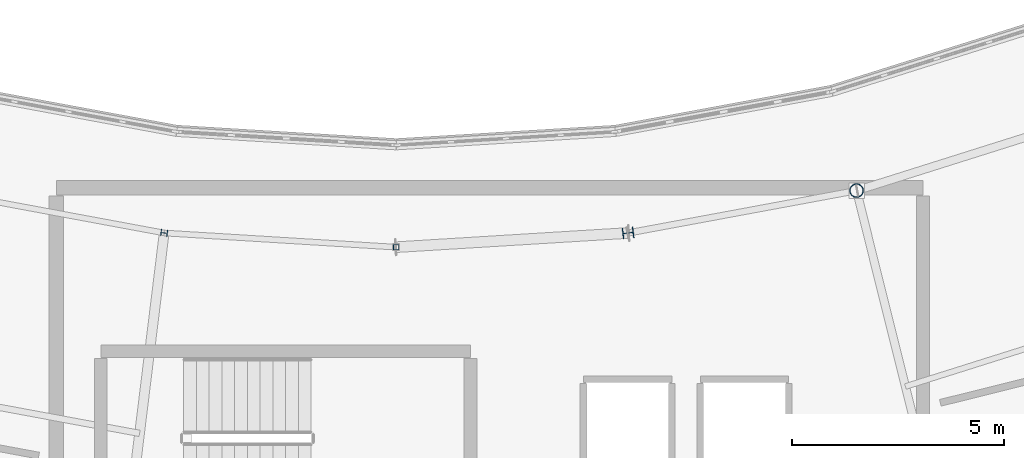
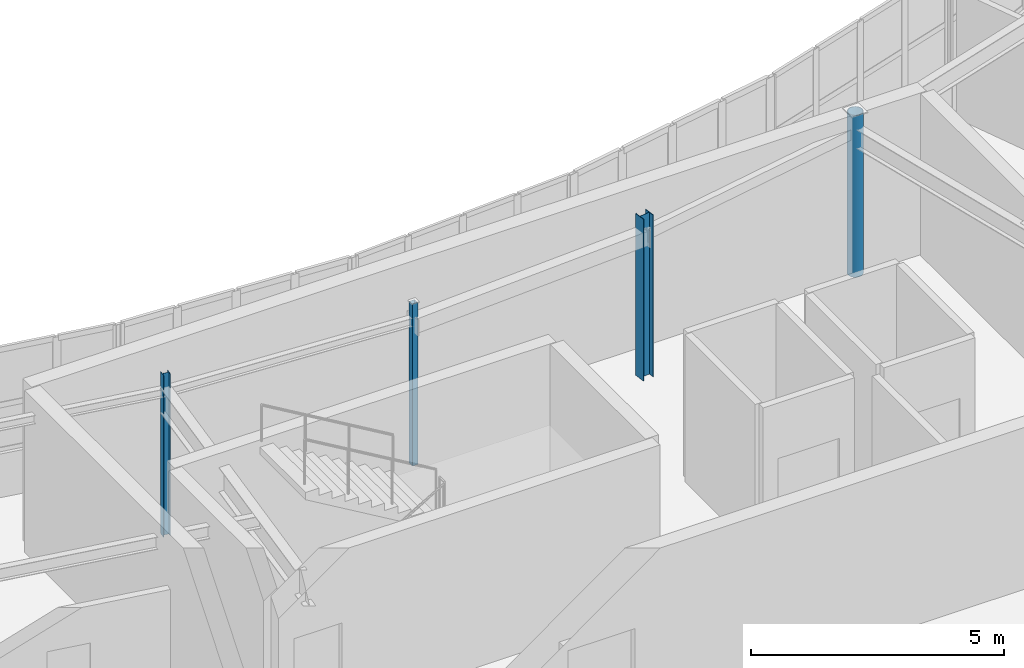
# One storey, part 5 of 79: 4 columns.
"""IFC4 building model written with IfcOpenShell, lengths in metres."""

from ifc_helpers import new_model, si_unit, direction, frame, origin, origin_2d, place, context, subcontext, project, spatial, hollow_rectangle, hollow_circle, i_section, extrude, material, material_profile, profile_set, type_object, element, save


model = new_model("IFC4")

# Units and contexts
model_context = context("Model", 3, precision=1e-05, world=origin(), true_north=direction((0.0, 1.0)))
body_context = subcontext(model_context, "Body", "Model", "MODEL_VIEW")
ifc_project = project(units=[si_unit("LENGTHUNIT", "METRE"), si_unit("AREAUNIT", "SQUARE_METRE"), si_unit("VOLUMEUNIT", "CUBIC_METRE"), si_unit("PLANEANGLEUNIT", "RADIAN"), si_unit("MASSUNIT", "GRAM", prefix="KILO")], contexts=[model_context])

# Site, building, storey
site_placement = place(None, origin())
site = spatial("IfcSite", under=ifc_project, at=site_placement, CompositionType="ELEMENT")
building_placement = place(site_placement, origin())
building = spatial("IfcBuilding", under=site, at=building_placement, Name="Tarnwether General Hospital", CompositionType="ELEMENT")
storey_placement = place(building_placement, frame((0.0, 0.0, 18.300048828125)))
storey = spatial("IfcBuildingStorey", under=building, at=storey_placement, Name="L04", CompositionType="ELEMENT", Elevation=18.300048828125)

# Columns
ifc_material_1 = material(Name="Steel Grade 350 (350 MPa)", Category="steel")
ifc_material_profile_1 = material_profile(ifc_material_1, i_section(OverallWidth=0.25390625, OverallDepth=0.25390625, WebThickness=0.008544921875, FlangeThickness=0.01416015625, at=origin_2d()), Name="250UC72.9")
ifc_profile_set_1 = profile_set([ifc_material_profile_1], Name="Steel Grade 350 (350 MPa)")
column_type_1 = type_object("IfcColumnType", Name="COL-24", PredefinedType="COLUMN", material=ifc_profile_set_1)
column_1_placement = place(storey_placement, frame((97.4599609375, 18.533935546875, 0.0), z_axis=(0.0, 0.0, 1.0), x_axis=(-0.121869343405, 0.992546151641, 0.0)))
element("IfcColumn", 1, at=column_1_placement, inside=storey, type_object=column_type_1, Name="Column COLG-L04-9746_1853", PredefinedType="COLUMN", context=body_context, shape_type="SweptSolid", body=[
    extrude(i_section(OverallWidth=0.25390625, OverallDepth=0.25390625, WebThickness=0.008544921875, FlangeThickness=0.01416015625, at=origin_2d()), origin(), (0.0, 0.0, 1.0), 3.89990234375),
])
ifc_material_2 = material(Name="Steel Grade C350L0 (350 MPa)", Category="steel")
ifc_material_profile_2 = material_profile(ifc_material_2, hollow_circle(Radius=0.161865234375, WallThickness=0.0126953125, at=origin_2d()), Name="CHS323.9x12.7")
ifc_profile_set_2 = profile_set([ifc_material_profile_2], Name="Steel Grade C350L0 (350 MPa)")
column_type_2 = type_object("IfcColumnType", Name="COL-26", PredefinedType="COLUMN", material=ifc_profile_set_2)
column_2_placement = place(storey_placement, frame((102.837890625, 19.531005859375, 0.0), z_axis=(0.0, 0.0, 1.0), x_axis=(-0.2419218956, 0.970295726276, 0.0)))
element("IfcColumn", 2, at=column_2_placement, inside=storey, type_object=column_type_2, Name="Column COLG-L04-10284_1953", PredefinedType="COLUMN", context=body_context, shape_type="SweptSolid", body=[
    extrude(hollow_circle(Radius=0.161865234375, WallThickness=0.0126953125, at=origin_2d()), origin(), (0.0, 0.0, 1.0), 3.89990234375),
])
ifc_material_3 = material(Name="Steel Grade 350 (350 MPa)", Category="steel")
ifc_material_profile_3 = material_profile(ifc_material_3, i_section(OverallWidth=0.152099609375, OverallDepth=0.152099609375, WebThickness=0.006103515625, FlangeThickness=0.0068359375, at=origin_2d()), Name="150UC23.4")
ifc_profile_set_3 = profile_set([ifc_material_profile_3], Name="Steel Grade 350 (350 MPa)")
column_type_3 = type_object("IfcColumnType", Name="COL-32", PredefinedType="COLUMN", material=ifc_profile_set_3)
column_3_placement = place(storey_placement, frame((86.5400390625, 18.533935546875, 0.0), z_axis=(0.0, 0.0, 1.0), x_axis=(0.121869343405, 0.992546151641, 0.0)))
element("IfcColumn", 3, at=column_3_placement, inside=storey, type_object=column_type_3, Name="Column COLG-L04-8654_1853", PredefinedType="COLUMN", context=body_context, shape_type="SweptSolid", body=[
    extrude(i_section(OverallWidth=0.152099609375, OverallDepth=0.152099609375, WebThickness=0.006103515625, FlangeThickness=0.0068359375, at=origin_2d()), origin(), (0.0, 0.0, 1.0), 3.89990234375),
])
ifc_material_4 = material(Name="Steel Grade C350L0 (350 MPa)", Category="steel")
ifc_material_profile_4 = material_profile(ifc_material_4, hollow_rectangle(XDim=0.125, YDim=0.125, WallThickness=0.006103515625, at=origin_2d()), Name="SHS125x125x6")
ifc_profile_set_4 = profile_set([ifc_material_profile_4], Name="Steel Grade C350L0 (350 MPa)")
column_type_4 = type_object("IfcColumnType", Name="COL-34", PredefinedType="COLUMN", material=ifc_profile_set_4)
column_4_placement = place(storey_placement, frame((92.0, 18.199951171875, 0.0), z_axis=(0.0, 0.0, 1.0), x_axis=(0.0, 1.0, 0.0)))
element("IfcColumn", 4, at=column_4_placement, inside=storey, type_object=column_type_4, Name="Column COLG-L04-9200_1820", PredefinedType="COLUMN", context=body_context, shape_type="SweptSolid", body=[
    extrude(hollow_rectangle(XDim=0.125, YDim=0.125, WallThickness=0.006103515625, at=origin_2d()), origin(), (0.0, 0.0, 1.0), 3.89990234375),
])

save(model, "model.ifc")
